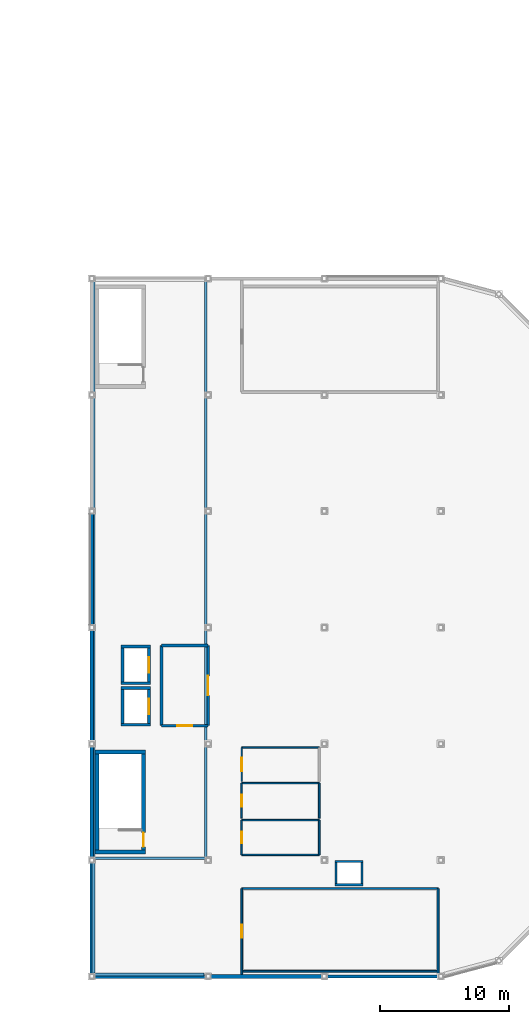
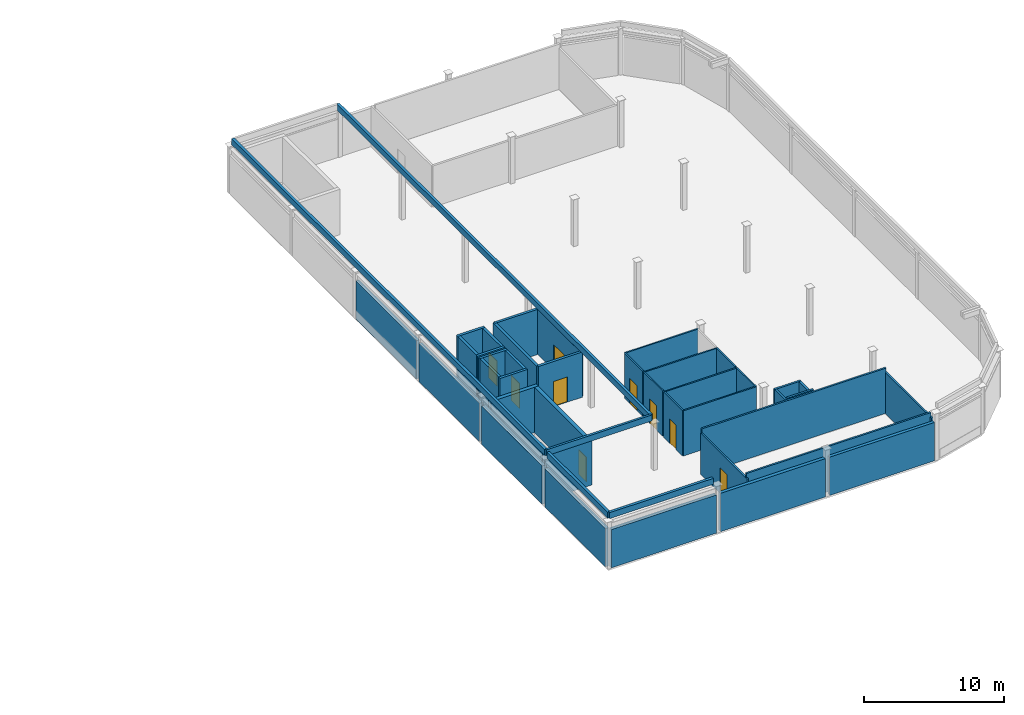
# One storey, part 10 of 14: 45 walls, 9 doors, 9 openings.
"""IFC4 building model written with IfcOpenShell, lengths in metres."""

from ifc_helpers import new_model, si_unit, direction, frame, frame_2d, origin, place, context, subcontext, project, spatial, rectangle, extrude, material, layer, layer_set, type_object, element, fill, save


model = new_model("IFC4")

# Units and contexts
model_context = context("Model", 3, precision=1e-05, world=origin(), true_north=direction((0.0, 1.0)))
body_context = subcontext(model_context, "Body", "Model", "MODEL_VIEW")
ifc_project = project(units=[si_unit("LENGTHUNIT", "METRE"), si_unit("AREAUNIT", "SQUARE_METRE"), si_unit("VOLUMEUNIT", "CUBIC_METRE"), si_unit("PLANEANGLEUNIT", "RADIAN"), si_unit("MASSUNIT", "GRAM", prefix="KILO")], contexts=[model_context])

# Site, building, storey
site_placement = place(None, origin())
site = spatial("IfcSite", under=ifc_project, at=site_placement, CompositionType="ELEMENT")
building_placement = place(site_placement, origin())
building = spatial("IfcBuilding", under=site, at=building_placement, Name="Suzunagisa Mobility Hub", CompositionType="ELEMENT")
storey_placement = place(building_placement, frame((0.0, 0.0, 26.10009765625)))
storey = spatial("IfcBuildingStorey", under=building, at=storey_placement, Name="L06", CompositionType="ELEMENT", Elevation=26.10009765625)

# Walls
ifc_material_1 = material(Name="Concrete C30/37", Category="concrete")
ifc_layer_1 = layer(ifc_material_1, 0.18994140625)
ifc_layer_set_1 = layer_set([ifc_layer_1], Name="Concrete C30/37")
wall_type_1 = type_object("IfcWallType", Name="Exterior Wall EW-01 190mm", PredefinedType="PARAPET", material=ifc_layer_set_1)
wall_1_placement = place(storey_placement, frame((152.820068359375, 53.14990234375, 4.199951171875), z_axis=(0.0, 0.0, 1.0), x_axis=(-1.0, 0.0, 0.0)))
element("IfcWall", 1, at=wall_1_placement, inside=storey, type_object=wall_type_1, Name="Roof Overrun Parapet PR-526", PredefinedType="PARAPET", context=body_context, shape_type="SweptSolid", body=[
    extrude(rectangle(XDim=8.670166015625, YDim=0.18994140625, at=frame_2d((4.3349609375, 0.0))), origin(), (0.0, 0.0, 1.0), 0.52001953125),
])
ifc_material_2 = material(Name="Porcelain-Faced Insulated Concrete C30/37 Wall", Category="concrete")
ifc_layer_2 = layer(ifc_material_2, 0.260009765625)
ifc_layer_set_2 = layer_set([ifc_layer_2], Name="Porcelain-Faced Insulated Concrete C30/37 Wall")
wall_type_2 = type_object("IfcWallType", Name="Exterior Wall EW-03 260mm", PredefinedType="SOLIDWALL", material=ifc_layer_set_2)
for number, where, z_axis, x_axis, name in (
    (2, (162.175048828125, 44.0, 0.0), (0.0, 0.0, 1.0), (1.0, 0.0, 0.0), "L06 Exterior Facade Wall EW-434"),
    (3, (144.0, 79.824951171875, 0.0), (0.0, 0.0, 1.0), (0.0, -1.0, 0.0), "L06 Exterior Facade Wall EW-450"),
):
    element("IfcWall", number, at=place(storey_placement, frame(where, z_axis=z_axis, x_axis=x_axis)), inside=storey, type_object=wall_type_2, Name=name, PredefinedType="SOLIDWALL", context=body_context, shape_type="SweptSolid", body=[
        extrude(rectangle(XDim=8.64990234375, YDim=0.260009765625, at=frame_2d((4.324951171875, 0.0))), origin(), (0.0, 0.0, 1.0), 3.33984375),
    ])
ifc_material_3 = material(Name="Lightweight Insulated Autoclaved Concrete C30/37 Wall", Category="concrete")
ifc_layer_3 = layer(ifc_material_3, 0.239990234375)
ifc_layer_set_3 = layer_set([ifc_layer_3], Name="Lightweight Insulated Autoclaved Concrete C30/37 Wall")
wall_type_3 = type_object("IfcWallType", Name="Exterior Wall EW-04 240mm", PredefinedType="SOLIDWALL", material=ifc_layer_set_3)
wall_2_placement = place(storey_placement, frame((144.0, 70.824951171875, 0.0), z_axis=(0.0, 0.0, 1.0), x_axis=(0.0, -1.0, 0.0)))
element("IfcWall", 4, at=wall_2_placement, inside=storey, type_object=wall_type_3, Name="L06 Exterior Facade Wall EW-451", PredefinedType="SOLIDWALL", context=body_context, shape_type="SweptSolid", body=[
    extrude(rectangle(XDim=8.64990234375, YDim=0.239990234375, at=frame_2d((4.324951171875, 0.0))), origin(), (0.0, 0.0, 1.0), 3.33984375),
])
ifc_layer_4 = layer(ifc_material_1, 0.219970703125)
ifc_layer_set_4 = layer_set([ifc_layer_4], Name="Concrete C30/37")
wall_type_4 = type_object("IfcWallType", Name="Exterior Wall EW-05 220mm", PredefinedType="PARAPET", material=ifc_layer_set_4)
wall_3_placement = place(storey_placement, frame((152.699951171875, 44.139892578125, 4.199951171875), z_axis=(0.0, 0.0, 1.0), x_axis=(-1.0, 0.0, 0.0)))
element("IfcWall", 5, at=wall_3_placement, inside=storey, type_object=wall_type_4, Name="L06 Roof Setback Parapet PR-502", PredefinedType="PARAPET", context=body_context, shape_type="SweptSolid", body=[
    extrude(rectangle(XDim=8.56005859375, YDim=0.219970703125, at=frame_2d((4.280029296875, 0.0))), origin(), (0.0, 0.0, 1.0), 0.52001953125),
])
wall_4_placement = place(storey_placement, frame((144.139892578125, 44.139892578125, 4.199951171875), z_axis=(0.0, 0.0, 1.0), x_axis=(0.0, 1.0, 0.0)))
element("IfcWall", 6, at=wall_4_placement, inside=storey, type_object=wall_type_4, Name="L06 Roof Setback Parapet PR-503", PredefinedType="PARAPET", context=body_context, shape_type="SweptSolid", body=[
    extrude(rectangle(XDim=8.66015625, YDim=0.219970703125, at=frame_2d((4.330078125, 0.0))), origin(), (0.0, 0.0, 1.0), 0.52001953125),
])
for number, where, z_axis, x_axis, name in (
    (7, (144.14990234375, 53.14990234375, 4.199951171875), (0.0, 0.0, 1.0), (0.0, 1.0, 0.0), "Roof Overrun Parapet PR-523"),
    (8, (152.820068359375, 97.85009765625, 4.199951171875), (0.0, 0.0, 1.0), (0.0, -1.0, 0.0), "Roof Overrun Parapet PR-525"),
):
    element("IfcWall", number, at=place(storey_placement, frame(where, z_axis=z_axis, x_axis=x_axis)), inside=storey, type_object=wall_type_4, Name=name, PredefinedType="PARAPET", context=body_context, shape_type="SweptSolid", body=[
        extrude(rectangle(XDim=44.7001953125, YDim=0.219970703125, at=frame_2d((22.35009765625, 0.0))), origin(), (0.0, 0.0, 1.0), 0.52001953125),
    ])
ifc_layer_5 = layer(ifc_material_2, 0.280029296875)
ifc_layer_set_5 = layer_set([ifc_layer_5], Name="Porcelain-Faced Insulated Concrete C30/37 Wall")
wall_type_5 = type_object("IfcWallType", Name="Exterior Wall EW-08 280mm", PredefinedType="SOLIDWALL", material=ifc_layer_set_5)
for number, where, z_axis, x_axis, name in (
    (9, (153.175048828125, 44.0, 0.0), (0.0, 0.0, 1.0), (1.0, 0.0, 0.0), "L06 Exterior Facade Wall EW-433"),
    (10, (144.0, 52.824951171875, 0.0), (0.0, 0.0, 1.0), (0.0, -1.0, 0.0), "L06 Exterior Facade Wall EW-453"),
):
    element("IfcWall", number, at=place(storey_placement, frame(where, z_axis=z_axis, x_axis=x_axis)), inside=storey, type_object=wall_type_5, Name=name, PredefinedType="SOLIDWALL", context=body_context, shape_type="SweptSolid", body=[
        extrude(rectangle(XDim=8.64990234375, YDim=0.280029296875, at=frame_2d((4.324951171875, 0.0))), origin(), (0.0, 0.0, 1.0), 3.33984375),
    ])
ifc_material_4 = material(Name="Insulated Precast Concrete C35/45 Panel", Category="concrete")
ifc_layer_6 = layer(ifc_material_4, 0.300048828125)
ifc_layer_set_6 = layer_set([ifc_layer_6], Name="Insulated Precast Concrete C35/45 Panel")
wall_type_6 = type_object("IfcWallType", Name="Exterior Wall EW-09 300mm", PredefinedType="SOLIDWALL", material=ifc_layer_set_6)
for number, where, z_axis, x_axis, name in (
    (11, (144.175048828125, 44.0, 0.0), (0.0, 0.0, 1.0), (1.0, 0.0, 0.0), "L06 Exterior Facade Wall EW-432"),
    (12, (144.0, 61.824951171875, 0.0), (0.0, 0.0, 1.0), (0.0, -1.0, 0.0), "L06 Exterior Facade Wall EW-452"),
):
    element("IfcWall", number, at=place(storey_placement, frame(where, z_axis=z_axis, x_axis=x_axis)), inside=storey, type_object=wall_type_6, Name=name, PredefinedType="SOLIDWALL", context=body_context, shape_type="SweptSolid", body=[
        extrude(rectangle(XDim=8.64990234375, YDim=0.300048828125, at=frame_2d((4.324951171875, 0.0))), origin(), (0.0, 0.0, 1.0), 3.33984375),
    ])
ifc_material_5 = material(Name="Concrete C35/45", Category="concrete")
ifc_layer_7 = layer(ifc_material_5, 0.31005859375)
ifc_layer_set_7 = layer_set([ifc_layer_7], Name="Concrete C35/45")
wall_type_7 = type_object("IfcWallType", Name="Interior Wall IW-01 310mm", PredefinedType="SHEAR", material=ifc_layer_set_7)
for number, where, z_axis, x_axis, name in (
    (13, (144.25, 53.64501953125, 0.0), (0.0, 0.0, 1.0), (1.0, 0.0, 0.0), "L06 Core C5 Shear Wall SW-449"),
    (14, (144.25, 61.35498046875, 0.0), (0.0, 0.0, 1.0), (1.0, 0.0, 0.0), "L06 Core C5 Shear Wall SW-450"),
):
    element("IfcWall", number, at=place(storey_placement, frame(where, z_axis=z_axis, x_axis=x_axis)), inside=storey, type_object=wall_type_7, Name=name, PredefinedType="SHEAR", context=body_context, shape_type="SweptSolid", body=[
        extrude(rectangle(XDim=3.89990234375, YDim=0.31005859375, at=frame_2d((1.949951171875, 0.0))), origin(), (0.0, 0.0, 1.0), 3.93994140625),
    ])
wall_5_placement = place(storey_placement, frame((144.405029296875, 53.800048828125, 0.0), z_axis=(0.0, 0.0, 1.0), x_axis=(0.0, 1.0, 0.0)))
element("IfcWall", 15, at=wall_5_placement, inside=storey, type_object=wall_type_7, Name="L06 Core C5 Shear Wall SW-451", PredefinedType="SHEAR", context=body_context, shape_type="SweptSolid", body=[
    extrude(rectangle(XDim=7.39990234375, YDim=0.31005859375, at=frame_2d((3.699951171875, 0.0))), origin(), (0.0, 0.0, 1.0), 3.93994140625),
])

# Wall, opening, door
wall_6_placement = place(storey_placement, frame((147.9951171875, 53.800048828125, 0.0), z_axis=(0.0, 0.0, 1.0), x_axis=(0.0, 1.0, 0.0)))
wall_6 = element("IfcWall", 16, at=wall_6_placement, inside=storey, type_object=wall_type_7, Name="L06 Core C5 Shear Wall SW-452", PredefinedType="SHEAR", context=body_context, shape_type="SweptSolid", body=[
    extrude(rectangle(XDim=7.39990234375, YDim=0.31005859375, at=frame_2d((3.699951171875, 0.0))), origin(), (0.0, 0.0, 1.0), 3.93994140625),
])
opening_1_placement = place(wall_6_placement, frame((0.219970703125, 0.0, 0.0)))
opening_1 = element("IfcOpeningElement", 17, at=opening_1_placement, cuts=wall_6, Name="Opening DR-05", PredefinedType="OPENING", context=body_context, shape_type="SweptSolid", body=[
    extrude(rectangle(XDim=1.10009765625, YDim=2.14990234375, at=frame_2d((0.550048828125, 1.074951171875))), frame((0.0, 0.166015625, 0.0), z_axis=(0.0, -1.0, 0.0), x_axis=(1.0, 0.0, 0.0)), (0.0, 0.0, 1.0), 0.33203125),
])
ifc_material_6 = material(Name="Fire-Rated Hollow Steel Stair Door", Category="steel")
door_type_1 = type_object("IfcDoorType", Name="Interior Door DR-05 1100x2150", OperationType="SINGLE_SWING_LEFT", PredefinedType="DOOR", material=ifc_material_6)
door_1_placement = place(opening_1_placement, origin())
door_1 = element("IfcDoor", 18, at=door_1_placement, inside=storey, type_object=door_type_1, Name="L06 Core C5 Escape Stair Fire Door SD-110", OperationType="SINGLE_SWING_LEFT", OverallHeight=2.14990234375, OverallWidth=1.10009765625, PredefinedType="DOOR", context=body_context, shape_type="SweptSolid", body=[
    extrude(rectangle(XDim=1.10009765625, YDim=2.14990234375, at=frame_2d((0.550048828125, 1.074951171875))), frame((0.0, 0.02490234375, 0.0), z_axis=(0.0, -1.0, 0.0), x_axis=(1.0, 0.0, 0.0)), (0.0, 0.0, 1.0), 0.050048828125),
])
fill(opening_1, door_1)

# Walls
ifc_material_7 = material(Name="Moisture-Resistant Gypsum Partition", Category="gypsum")
ifc_layer_8 = layer(ifc_material_7, 0.1201171875)
ifc_layer_set_8 = layer_set([ifc_layer_8], Name="Moisture-Resistant Gypsum Partition")
wall_type_8 = type_object("IfcWallType", Name="Interior Wall IW-02 120mm", PredefinedType="PARTITIONING", material=ifc_layer_set_8)
for number, where, z_axis, x_axis, name in (
    (19, (155.60009765625, 53.39990234375, 0.0), (0.0, 0.0, 1.0), (1.0, 0.0, 0.0), "L06 Male Restroom WC L06 Partition PW-635"),
    (20, (155.60009765625, 56.10009765625, 0.0), (0.0, 0.0, 1.0), (1.0, 0.0, 0.0), "L06 Male Restroom WC L06 Partition PW-636"),
):
    element("IfcWall", number, at=place(storey_placement, frame(where, z_axis=z_axis, x_axis=x_axis)), inside=storey, type_object=wall_type_8, Name=name, PredefinedType="PARTITIONING", context=body_context, shape_type="SweptSolid", body=[
        extrude(rectangle(XDim=6.0, YDim=0.1201171875, at=frame_2d((3.0, 0.0))), origin(), (0.0, 0.0, 1.0), 3.93994140625),
    ])

# Wall, opening, door
wall_7_placement = place(storey_placement, frame((155.60009765625, 53.39990234375, 0.0), z_axis=(0.0, 0.0, 1.0), x_axis=(0.0, 1.0, 0.0)))
wall_7 = element("IfcWall", 21, at=wall_7_placement, inside=storey, type_object=wall_type_8, Name="L06 Male Restroom WC L06 Partition PW-637", PredefinedType="PARTITIONING", context=body_context, shape_type="SweptSolid", body=[
    extrude(rectangle(XDim=2.7001953125, YDim=0.1201171875, at=frame_2d((1.35009765625, 0.0))), origin(), (0.0, 0.0, 1.0), 3.93994140625),
])
opening_2_placement = place(wall_7_placement, frame((0.889892578125, 0.0, 0.0)))
opening_2 = element("IfcOpeningElement", 22, at=opening_2_placement, cuts=wall_7, Name="Opening DR-02", PredefinedType="OPENING", context=body_context, shape_type="SweptSolid", body=[
    extrude(rectangle(XDim=0.919921875, YDim=2.10009765625, at=frame_2d((0.4599609375, 1.050048828125))), frame((0.0, 0.071044921875, 0.0), z_axis=(0.0, -1.0, 0.0), x_axis=(1.0, 0.0, 0.0)), (0.0, 0.0, 1.0), 0.14208984375),
])
ifc_material_8 = material(Name="Sanitary Restroom Laminate Door")
door_type_2 = type_object("IfcDoorType", Name="Interior Door DR-02 920x2100", OperationType="SINGLE_SWING_LEFT", PredefinedType="DOOR", material=ifc_material_8)
door_2_placement = place(opening_2_placement, origin())
door_2 = element("IfcDoor", 23, at=door_2_placement, inside=storey, type_object=door_type_2, Name="L06 Male Restroom WC L06 Door DR-158", OperationType="SINGLE_SWING_LEFT", OverallHeight=2.10009765625, OverallWidth=0.919921875, PredefinedType="DOOR", context=body_context, shape_type="SweptSolid", body=[
    extrude(rectangle(XDim=0.919921875, YDim=2.10009765625, at=frame_2d((0.4599609375, 1.050048828125))), frame((0.0, 0.02490234375, 0.0), z_axis=(0.0, -1.0, 0.0), x_axis=(1.0, 0.0, 0.0)), (0.0, 0.0, 1.0), 0.050048828125),
])
fill(opening_2, door_2)

# Walls
wall_8_placement = place(storey_placement, frame((161.60009765625, 53.39990234375, 0.0), z_axis=(0.0, 0.0, 1.0), x_axis=(0.0, 1.0, 0.0)))
element("IfcWall", 24, at=wall_8_placement, inside=storey, type_object=wall_type_8, Name="L06 Male Restroom WC L06 Partition PW-638", PredefinedType="PARTITIONING", context=body_context, shape_type="SweptSolid", body=[
    extrude(rectangle(XDim=2.7001953125, YDim=0.1201171875, at=frame_2d((1.35009765625, 0.0))), origin(), (0.0, 0.0, 1.0), 3.93994140625),
])
wall_9_placement = place(storey_placement, frame((155.60009765625, 58.949951171875, 0.0), z_axis=(0.0, 0.0, 1.0), x_axis=(1.0, 0.0, 0.0)))
element("IfcWall", 25, at=wall_9_placement, inside=storey, type_object=wall_type_8, Name="L06 Female Restroom WC L06 Partition PW-639", PredefinedType="PARTITIONING", context=body_context, shape_type="SweptSolid", body=[
    extrude(rectangle(XDim=6.0, YDim=0.1201171875, at=frame_2d((3.0, 0.0))), origin(), (0.0, 0.0, 1.0), 3.93994140625),
])

# Wall, opening, door
wall_10_placement = place(storey_placement, frame((155.60009765625, 56.25, 0.0), z_axis=(0.0, 0.0, 1.0), x_axis=(0.0, 1.0, 0.0)))
wall_10 = element("IfcWall", 26, at=wall_10_placement, inside=storey, type_object=wall_type_8, Name="L06 Female Restroom WC L06 Partition PW-640", PredefinedType="PARTITIONING", context=body_context, shape_type="SweptSolid", body=[
    extrude(rectangle(XDim=2.699951171875, YDim=0.1201171875, at=frame_2d((1.35009765625, 0.0))), origin(), (0.0, 0.0, 1.0), 3.93994140625),
])
opening_3_placement = place(wall_10_placement, frame((0.875, 0.0, 0.0)))
opening_3 = element("IfcOpeningElement", 27, at=opening_3_placement, cuts=wall_10, Name="Opening DR-19", PredefinedType="OPENING", context=body_context, shape_type="SweptSolid", body=[
    extrude(rectangle(XDim=0.949951171875, YDim=2.14990234375, at=frame_2d((0.47509765625, 1.074951171875))), frame((0.0, 0.071044921875, 0.0), z_axis=(0.0, -1.0, 0.0), x_axis=(1.0, 0.0, 0.0)), (0.0, 0.0, 1.0), 0.14208984375),
])
ifc_material_9 = material(Name="Sanitary Restroom Acoustic Door")
door_type_3 = type_object("IfcDoorType", Name="Interior Door DR-19 950x2150", OperationType="SINGLE_SWING_LEFT", PredefinedType="DOOR", material=ifc_material_9)
door_3_placement = place(opening_3_placement, origin())
door_3 = element("IfcDoor", 28, at=door_3_placement, inside=storey, type_object=door_type_3, Name="L06 Female Restroom WC L06 Door DR-159", OperationType="SINGLE_SWING_RIGHT", OverallHeight=2.14990234375, OverallWidth=0.949951171875, PredefinedType="DOOR", context=body_context, shape_type="SweptSolid", body=[
    extrude(rectangle(XDim=0.949951171875, YDim=2.14990234375, at=frame_2d((0.47509765625, 1.074951171875))), frame((0.0, 0.02490234375, 0.0), z_axis=(0.0, -1.0, 0.0), x_axis=(1.0, 0.0, 0.0)), (0.0, 0.0, 1.0), 0.050048828125),
])
fill(opening_3, door_3)

# Walls
wall_11_placement = place(storey_placement, frame((161.60009765625, 56.25, 0.0), z_axis=(0.0, 0.0, 1.0), x_axis=(0.0, 1.0, 0.0)))
element("IfcWall", 29, at=wall_11_placement, inside=storey, type_object=wall_type_8, Name="L06 Female Restroom WC L06 Partition PW-641", PredefinedType="PARTITIONING", context=body_context, shape_type="SweptSolid", body=[
    extrude(rectangle(XDim=2.699951171875, YDim=0.1201171875, at=frame_2d((1.35009765625, 0.0))), origin(), (0.0, 0.0, 1.0), 3.93994140625),
])
wall_12_placement = place(storey_placement, frame((155.60009765625, 61.699951171875, 0.0), z_axis=(0.0, 0.0, 1.0), x_axis=(1.0, 0.0, 0.0)))
element("IfcWall", 30, at=wall_12_placement, inside=storey, type_object=wall_type_8, Name="L06 Accessible Restroom WC L06 Partition PW-642", PredefinedType="PARTITIONING", context=body_context, shape_type="SweptSolid", body=[
    extrude(rectangle(XDim=6.0, YDim=0.1201171875, at=frame_2d((3.0, 0.0))), origin(), (0.0, 0.0, 1.0), 3.93994140625),
])

# Wall, opening, door
wall_13_placement = place(storey_placement, frame((155.60009765625, 59.10009765625, 0.0), z_axis=(0.0, 0.0, 1.0), x_axis=(0.0, 1.0, 0.0)))
wall_13 = element("IfcWall", 31, at=wall_13_placement, inside=storey, type_object=wall_type_8, Name="L06 Accessible Restroom WC L06 Partition PW-643", PredefinedType="PARTITIONING", context=body_context, shape_type="SweptSolid", body=[
    extrude(rectangle(XDim=2.599853515625, YDim=0.1201171875, at=frame_2d((1.2998046875, 0.0))), origin(), (0.0, 0.0, 1.0), 3.93994140625),
])
opening_4_placement = place(wall_13_placement, frame((0.77490234375, 0.0, 0.0)))
opening_4 = element("IfcOpeningElement", 32, at=opening_4_placement, cuts=wall_13, Name="Opening DR-16", PredefinedType="OPENING", context=body_context, shape_type="SweptSolid", body=[
    extrude(rectangle(XDim=1.050048828125, YDim=2.199951171875, at=frame_2d((0.52490234375, 1.10009765625))), frame((0.0, 0.071044921875, 0.0), z_axis=(0.0, -1.0, 0.0), x_axis=(1.0, 0.0, 0.0)), (0.0, 0.0, 1.0), 0.14208984375),
])
ifc_material_10 = material(Name="Barrier-Free Club Accessible WC Door")
door_type_4 = type_object("IfcDoorType", Name="Interior Door DR-16 1050x2200", OperationType="SINGLE_SWING_LEFT", PredefinedType="DOOR", material=ifc_material_10)
door_4_placement = place(opening_4_placement, origin())
door_4 = element("IfcDoor", 33, at=door_4_placement, inside=storey, type_object=door_type_4, Name="L06 Accessible Restroom WC L06 Door DR-160", OperationType="SINGLE_SWING_LEFT", OverallHeight=2.199951171875, OverallWidth=1.050048828125, PredefinedType="DOOR", context=body_context, shape_type="SweptSolid", body=[
    extrude(rectangle(XDim=1.050048828125, YDim=2.199951171875, at=frame_2d((0.52490234375, 1.10009765625))), frame((0.0, 0.02490234375, 0.0), z_axis=(0.0, -1.0, 0.0), x_axis=(1.0, 0.0, 0.0)), (0.0, 0.0, 1.0), 0.050048828125),
])
fill(opening_4, door_4)

ifc_material_11 = material(Name="Fire-Rated Gypsum Stud Partition", Category="gypsum")
ifc_layer_9 = layer(ifc_material_11, 0.2099609375)
ifc_layer_set_9 = layer_set([ifc_layer_9], Name="Fire-Rated Gypsum Stud Partition")
wall_type_9 = type_object("IfcWallType", Name="Interior Wall IW-03 210mm", PredefinedType="PARTITIONING", material=ifc_layer_set_9)
wall_14_placement = place(storey_placement, frame((148.425048828125, 63.580078125, 0.0), z_axis=(0.0, 0.0, 1.0), x_axis=(0.0, 1.0, 0.0)))
wall_14 = element("IfcWall", 34, at=wall_14_placement, inside=storey, type_object=wall_type_9, Name="L06 Lift LF-05 Shaft Front Wall", PredefinedType="PARTITIONING", context=body_context, shape_type="SweptSolid", body=[
    extrude(rectangle(XDim=2.639892578125, YDim=0.2099609375, at=frame_2d((1.31982421875, 0.0))), origin(), (0.0, 0.0, 1.0), 3.93994140625),
])
opening_5_placement = place(wall_14_placement, frame((0.719970703125, 0.0, 0.0)))
opening_5 = element("IfcOpeningElement", 35, at=opening_5_placement, cuts=wall_14, Name="Opening LD-03", PredefinedType="OPENING", context=body_context, shape_type="SweptSolid", body=[
    extrude(rectangle(XDim=1.199951171875, YDim=2.199951171875, at=frame_2d((0.60009765625, 1.10009765625))), frame((0.0, 0.115966796875, 0.0), z_axis=(0.0, -1.0, 0.0), x_axis=(1.0, 0.0, 0.0)), (0.0, 0.0, 1.0), 0.23193359375),
])
ifc_material_12 = material(Name="Brushed Stainless Steel SUS304", Category="metal")
door_type_5 = type_object("IfcDoorType", Name="Lift Landing Sliding Door LD-03 1200x2200", OperationType="SLIDING_TO_LEFT", PredefinedType="DOOR", material=ifc_material_12)
door_5_placement = place(opening_5_placement, origin())
door_5 = element("IfcDoor", 36, at=door_5_placement, inside=storey, type_object=door_type_5, Name="L06 Lift LF-05 Sliding Landing Door", OperationType="SLIDING_TO_LEFT", OverallHeight=2.199951171875, OverallWidth=1.199951171875, PredefinedType="DOOR", context=body_context, shape_type="SweptSolid", body=[
    extrude(rectangle(XDim=1.199951171875, YDim=2.199951171875, at=frame_2d((0.60009765625, 1.10009765625))), frame((0.0, 0.02490234375, 0.0), z_axis=(0.0, -1.0, 0.0), x_axis=(1.0, 0.0, 0.0)), (0.0, 0.0, 1.0), 0.050048828125),
])
fill(opening_5, door_5)

# Walls
wall_15_placement = place(storey_placement, frame((146.375, 63.580078125, 0.0), z_axis=(0.0, 0.0, 1.0), x_axis=(0.0, 1.0, 0.0)))
element("IfcWall", 37, at=wall_15_placement, inside=storey, type_object=wall_type_9, Name="L06 Lift LF-05 Shaft Back Wall", PredefinedType="PARTITIONING", context=body_context, shape_type="SweptSolid", body=[
    extrude(rectangle(XDim=2.639892578125, YDim=0.2099609375, at=frame_2d((1.31982421875, 0.0))), origin(), (0.0, 0.0, 1.0), 3.93994140625),
])
for number, where, z_axis, x_axis, name in (
    (38, (146.27001953125, 63.47509765625, 0.0), (0.0, 0.0, 1.0), (1.0, 0.0, 0.0), "L06 Lift LF-05 Shaft South Wall"),
    (39, (146.27001953125, 66.324951171875, 0.0), (0.0, 0.0, 1.0), (1.0, 0.0, 0.0), "L06 Lift LF-05 Shaft North Wall"),
):
    element("IfcWall", number, at=place(storey_placement, frame(where, z_axis=z_axis, x_axis=x_axis)), inside=storey, type_object=wall_type_9, Name=name, PredefinedType="PARTITIONING", context=body_context, shape_type="SweptSolid", body=[
        extrude(rectangle(XDim=2.260009765625, YDim=0.2099609375, at=frame_2d((1.1298828125, 0.0))), origin(), (0.0, 0.0, 1.0), 3.93994140625),
    ])

# Wall, opening, door
wall_16_placement = place(storey_placement, frame((148.425048828125, 66.780029296875, 0.0), z_axis=(0.0, 0.0, 1.0), x_axis=(0.0, 1.0, 0.0)))
wall_16 = element("IfcWall", 40, at=wall_16_placement, inside=storey, type_object=wall_type_9, Name="L06 Lift LF-06 Shaft Front Wall", PredefinedType="PARTITIONING", context=body_context, shape_type="SweptSolid", body=[
    extrude(rectangle(XDim=2.639892578125, YDim=0.2099609375, at=frame_2d((1.31982421875, 0.0))), origin(), (0.0, 0.0, 1.0), 3.93994140625),
])
opening_6_placement = place(wall_16_placement, frame((0.719970703125, 0.0, 0.0)))
opening_6 = element("IfcOpeningElement", 41, at=opening_6_placement, cuts=wall_16, Name="Opening LD-03", PredefinedType="OPENING", context=body_context, shape_type="SweptSolid", body=[
    extrude(rectangle(XDim=1.199951171875, YDim=2.199951171875, at=frame_2d((0.60009765625, 1.10009765625))), frame((0.0, 0.115966796875, 0.0), z_axis=(0.0, -1.0, 0.0), x_axis=(1.0, 0.0, 0.0)), (0.0, 0.0, 1.0), 0.23193359375),
])
door_6_placement = place(opening_6_placement, origin())
door_6 = element("IfcDoor", 42, at=door_6_placement, inside=storey, type_object=door_type_5, Name="L06 Lift LF-06 Sliding Landing Door", OperationType="SLIDING_TO_RIGHT", OverallHeight=2.199951171875, OverallWidth=1.199951171875, PredefinedType="DOOR", context=body_context, shape_type="SweptSolid", body=[
    extrude(rectangle(XDim=1.199951171875, YDim=2.199951171875, at=frame_2d((0.60009765625, 1.10009765625))), frame((0.0, 0.02490234375, 0.0), z_axis=(0.0, -1.0, 0.0), x_axis=(1.0, 0.0, 0.0)), (0.0, 0.0, 1.0), 0.050048828125),
])
fill(opening_6, door_6)

# Walls
wall_17_placement = place(storey_placement, frame((146.375, 66.780029296875, 0.0), z_axis=(0.0, 0.0, 1.0), x_axis=(0.0, 1.0, 0.0)))
element("IfcWall", 43, at=wall_17_placement, inside=storey, type_object=wall_type_9, Name="L06 Lift LF-06 Shaft Back Wall", PredefinedType="PARTITIONING", context=body_context, shape_type="SweptSolid", body=[
    extrude(rectangle(XDim=2.639892578125, YDim=0.2099609375, at=frame_2d((1.31982421875, 0.0))), origin(), (0.0, 0.0, 1.0), 3.93994140625),
])
for number, where, z_axis, x_axis, name in (
    (44, (146.27001953125, 66.675048828125, 0.0), (0.0, 0.0, 1.0), (1.0, 0.0, 0.0), "L06 Lift LF-06 Shaft South Wall"),
    (45, (146.27001953125, 69.52490234375, 0.0), (0.0, 0.0, 1.0), (1.0, 0.0, 0.0), "L06 Lift LF-06 Shaft North Wall"),
):
    element("IfcWall", number, at=place(storey_placement, frame(where, z_axis=z_axis, x_axis=x_axis)), inside=storey, type_object=wall_type_9, Name=name, PredefinedType="PARTITIONING", context=body_context, shape_type="SweptSolid", body=[
        extrude(rectangle(XDim=2.260009765625, YDim=0.2099609375, at=frame_2d((1.1298828125, 0.0))), origin(), (0.0, 0.0, 1.0), 3.93994140625),
    ])

# Wall, opening, door
wall_18_placement = place(storey_placement, frame((149.39990234375, 63.39990234375, 0.0), z_axis=(0.0, 0.0, 1.0), x_axis=(1.0, 0.0, 0.0)))
wall_18 = element("IfcWall", 46, at=wall_18_placement, inside=storey, type_object=wall_type_9, Name="L06 Firefighting Lift Lobby L06 Partition PW-561", PredefinedType="PARTITIONING", context=body_context, shape_type="SweptSolid", body=[
    extrude(rectangle(XDim=3.60009765625, YDim=0.2099609375, at=frame_2d((1.800048828125, 0.0))), origin(), (0.0, 0.0, 1.0), 3.93994140625),
])
opening_7_placement = place(wall_18_placement, frame((1.22509765625, 0.0, 0.0)))
opening_7 = element("IfcOpeningElement", 47, at=opening_7_placement, cuts=wall_18, Name="Opening DR-20", PredefinedType="OPENING", context=body_context, shape_type="SweptSolid", body=[
    extrude(rectangle(XDim=1.14990234375, YDim=2.199951171875, at=frame_2d((0.574951171875, 1.10009765625))), frame((0.0, 0.115966796875, 0.0), z_axis=(0.0, -1.0, 0.0), x_axis=(1.0, 0.0, 0.0)), (0.0, 0.0, 1.0), 0.23193359375),
])
door_type_6 = type_object("IfcDoorType", Name="Interior Door DR-20 1150x2200", OperationType="SINGLE_SWING_LEFT", PredefinedType="DOOR", material=ifc_material_6)
door_7_placement = place(opening_7_placement, origin())
door_7 = element("IfcDoor", 48, at=door_7_placement, inside=storey, type_object=door_type_6, Name="L06 Firefighting Lobby to Escape Stair Door SD-135", OperationType="SINGLE_SWING_RIGHT", OverallHeight=2.199951171875, OverallWidth=1.14990234375, PredefinedType="DOOR", context=body_context, shape_type="SweptSolid", body=[
    extrude(rectangle(XDim=1.14990234375, YDim=2.199951171875, at=frame_2d((0.574951171875, 1.10009765625))), frame((0.0, 0.02490234375, 0.0), z_axis=(0.0, -1.0, 0.0), x_axis=(1.0, 0.0, 0.0)), (0.0, 0.0, 1.0), 0.050048828125),
])
fill(opening_7, door_7)

# Walls
wall_19_placement = place(storey_placement, frame((149.39990234375, 69.60009765625, 0.0), z_axis=(0.0, 0.0, 1.0), x_axis=(1.0, 0.0, 0.0)))
element("IfcWall", 49, at=wall_19_placement, inside=storey, type_object=wall_type_9, Name="L06 Firefighting Lift Lobby L06 Partition PW-562", PredefinedType="PARTITIONING", context=body_context, shape_type="SweptSolid", body=[
    extrude(rectangle(XDim=3.60009765625, YDim=0.2099609375, at=frame_2d((1.800048828125, 0.0))), origin(), (0.0, 0.0, 1.0), 3.93994140625),
])
wall_20_placement = place(storey_placement, frame((149.39990234375, 63.39990234375, 0.0), z_axis=(0.0, 0.0, 1.0), x_axis=(0.0, 1.0, 0.0)))
element("IfcWall", 50, at=wall_20_placement, inside=storey, type_object=wall_type_9, Name="L06 Firefighting Lift Lobby L06 Partition PW-563", PredefinedType="PARTITIONING", context=body_context, shape_type="SweptSolid", body=[
    extrude(rectangle(XDim=6.2001953125, YDim=0.2099609375, at=frame_2d((3.10009765625, 0.0))), origin(), (0.0, 0.0, 1.0), 3.93994140625),
])

# Wall, opening, door
wall_21_placement = place(storey_placement, frame((153.0, 63.39990234375, 0.0), z_axis=(0.0, 0.0, 1.0), x_axis=(0.0, 1.0, 0.0)))
wall_21 = element("IfcWall", 51, at=wall_21_placement, inside=storey, type_object=wall_type_9, Name="L06 Firefighting Lift Lobby L06 Partition PW-564", PredefinedType="PARTITIONING", context=body_context, shape_type="SweptSolid", body=[
    extrude(rectangle(XDim=6.2001953125, YDim=0.2099609375, at=frame_2d((3.10009765625, 0.0))), origin(), (0.0, 0.0, 1.0), 3.93994140625),
])
opening_8_placement = place(wall_21_placement, frame((2.35009765625, 0.0, 0.0)))
opening_8 = element("IfcOpeningElement", 52, at=opening_8_placement, cuts=wall_21, Name="Opening DR-15", PredefinedType="OPENING", context=body_context, shape_type="SweptSolid", body=[
    extrude(rectangle(XDim=1.5, YDim=2.25, at=frame_2d((0.75, 1.125))), frame((0.0, 0.115966796875, 0.0), z_axis=(0.0, -1.0, 0.0), x_axis=(1.0, 0.0, 0.0)), (0.0, 0.0, 1.0), 0.23193359375),
])
ifc_material_13 = material(Name="Smoke-Control Double Fire Door")
door_type_7 = type_object("IfcDoorType", Name="Interior Door DR-15 1500x2250", OperationType="SINGLE_SWING_LEFT", PredefinedType="DOOR", material=ifc_material_13)
door_8_placement = place(opening_8_placement, origin())
door_8 = element("IfcDoor", 53, at=door_8_placement, inside=storey, type_object=door_type_7, Name="L06 Firefighting Lift Lobby L06 Door DR-136", OperationType="SINGLE_SWING_LEFT", OverallHeight=2.25, OverallWidth=1.5, PredefinedType="DOOR", context=body_context, shape_type="SweptSolid", body=[
    extrude(rectangle(XDim=1.5, YDim=2.25, at=frame_2d((0.75, 1.125))), frame((0.0, 0.02490234375, 0.0), z_axis=(0.0, -1.0, 0.0), x_axis=(1.0, 0.0, 0.0)), (0.0, 0.0, 1.0), 0.050048828125),
])
fill(opening_8, door_8)

# Walls
ifc_layer_10 = layer(ifc_material_11, 0.169921875)
ifc_layer_set_10 = layer_set([ifc_layer_10], Name="Fire-Rated Gypsum Stud Partition")
wall_type_10 = type_object("IfcWallType", Name="Interior Wall IW-05 170mm", PredefinedType="PARTITIONING", material=ifc_layer_set_10)
wall_22_placement = place(storey_placement, frame((162.81494140625, 51.10009765625, 0.0), z_axis=(0.0, 0.0, 1.0), x_axis=(1.0, 0.0, 0.0)))
element("IfcWall", 54, at=wall_22_placement, inside=storey, type_object=wall_type_10, Name="L06 MEP Service Riser Wall RW-529", PredefinedType="PARTITIONING", context=body_context, shape_type="SweptSolid", body=[
    extrude(rectangle(XDim=2.170166015625, YDim=0.169921875, at=frame_2d((1.0849609375, 0.0))), origin(), (0.0, 0.0, 1.0), 3.919921875),
])
wall_23_placement = place(storey_placement, frame((162.81494140625, 52.89990234375, 0.0), z_axis=(0.0, 0.0, 1.0), x_axis=(1.0, 0.0, 0.0)))
element("IfcWall", 55, at=wall_23_placement, inside=storey, type_object=wall_type_10, Name="L06 MEP Service Riser Wall RW-530", PredefinedType="PARTITIONING", context=body_context, shape_type="SweptSolid", body=[
    extrude(rectangle(XDim=2.170166015625, YDim=0.169921875, at=frame_2d((1.0849609375, 0.0))), origin(), (0.0, 0.0, 1.0), 3.58056640625),
])
for number, where, z_axis, x_axis, name in (
    (56, (162.89990234375, 51.18505859375, 0.0), (0.0, 0.0, 1.0), (0.0, 1.0, 0.0), "L06 MEP Service Riser Wall RW-531"),
    (57, (164.89990234375, 51.18505859375, 0.0), (0.0, 0.0, 1.0), (0.0, 1.0, 0.0), "L06 MEP Service Riser Wall RW-532"),
):
    element("IfcWall", number, at=place(storey_placement, frame(where, z_axis=z_axis, x_axis=x_axis)), inside=storey, type_object=wall_type_10, Name=name, PredefinedType="PARTITIONING", context=body_context, shape_type="SweptSolid", body=[
        extrude(rectangle(XDim=1.6298828125, YDim=0.169921875, at=frame_2d((0.81494140625, 0.0))), origin(), (0.0, 0.0, 1.0), 3.58056640625),
    ])
ifc_material_14 = material(Name="Acoustic Steel-Stud Gypsum Partition", Category="steel")
ifc_layer_11 = layer(ifc_material_14, 0.14501953125)
ifc_layer_set_11 = layer_set([ifc_layer_11], Name="Acoustic Steel-Stud Gypsum Partition")
wall_type_11 = type_object("IfcWallType", Name="Interior Wall IW-06 145mm", PredefinedType="PARTITIONING", material=ifc_layer_set_11)
for number, where, z_axis, x_axis, name in (
    (58, (155.60009765625, 44.39990234375, 0.0), (0.0, 0.0, 1.0), (1.0, 0.0, 0.0), "L06 Rooftop Sports Club Spectator Lounge Partition PW-897"),
    (59, (155.60009765625, 50.800048828125, 0.0), (0.0, 0.0, 1.0), (1.0, 0.0, 0.0), "L06 Rooftop Sports Club Spectator Lounge Partition PW-898"),
):
    element("IfcWall", number, at=place(storey_placement, frame(where, z_axis=z_axis, x_axis=x_axis)), inside=storey, type_object=wall_type_11, Name=name, PredefinedType="PARTITIONING", context=body_context, shape_type="SweptSolid", body=[
        extrude(rectangle(XDim=15.199951171875, YDim=0.14501953125, at=frame_2d((7.60009765625, 0.0))), origin(), (0.0, 0.0, 1.0), 3.93994140625),
    ])

# Wall, opening, door
wall_24_placement = place(storey_placement, frame((155.60009765625, 44.1650390625, 0.0), z_axis=(0.0, 0.0, 1.0), x_axis=(0.0, 1.0, 0.0)))
wall_24 = element("IfcWall", 60, at=wall_24_placement, inside=storey, type_object=wall_type_11, Name="L06 Rooftop Sports Club Spectator Lounge Partition PW-899", PredefinedType="PARTITIONING", context=body_context, shape_type="SweptSolid", body=[
    extrude(rectangle(XDim=6.635009765625, YDim=0.14501953125, at=frame_2d((3.3173828125, 0.0))), origin(), (0.0, 0.0, 1.0), 3.58056640625),
])
opening_9_placement = place(wall_24_placement, frame((2.824951171875, 0.0, 0.0)))
opening_9 = element("IfcOpeningElement", 61, at=opening_9_placement, cuts=wall_24, Name="Opening DR-33", PredefinedType="OPENING", context=body_context, shape_type="SweptSolid", body=[
    extrude(rectangle(XDim=1.02001953125, YDim=2.25, at=frame_2d((0.510009765625, 1.125))), frame((0.0, 0.08349609375, 0.0), z_axis=(0.0, -1.0, 0.0), x_axis=(1.0, 0.0, 0.0)), (0.0, 0.0, 1.0), 0.1669921875),
])
ifc_material_15 = material(Name="Anodized Aluminum Framed Acoustic Door", Category="aluminium")
door_type_8 = type_object("IfcDoorType", Name="Interior Door DR-33 1020x2250", OperationType="SINGLE_SWING_LEFT", PredefinedType="DOOR", material=ifc_material_15)
door_9_placement = place(opening_9_placement, origin())
door_9 = element("IfcDoor", 62, at=door_9_placement, inside=storey, type_object=door_type_8, Name="L06 Rooftop Sports Club Spectator Lounge Door DR-223", OperationType="SINGLE_SWING_RIGHT", OverallHeight=2.25, OverallWidth=1.02001953125, PredefinedType="DOOR", context=body_context, shape_type="SweptSolid", body=[
    extrude(rectangle(XDim=1.02001953125, YDim=2.25, at=frame_2d((0.510009765625, 1.125))), frame((0.0, 0.02490234375, 0.0), z_axis=(0.0, -1.0, 0.0), x_axis=(1.0, 0.0, 0.0)), (0.0, 0.0, 1.0), 0.050048828125),
])
fill(opening_9, door_9)

# Wall
wall_25_placement = place(storey_placement, frame((170.800048828125, 44.1650390625, 0.0), z_axis=(0.0, 0.0, 1.0), x_axis=(0.0, 1.0, 0.0)))
element("IfcWall", 63, at=wall_25_placement, inside=storey, type_object=wall_type_11, Name="L06 Rooftop Sports Club Spectator Lounge Partition PW-900", PredefinedType="PARTITIONING", context=body_context, shape_type="SweptSolid", body=[
    extrude(rectangle(XDim=6.635009765625, YDim=0.14501953125, at=frame_2d((3.3173828125, 0.0))), origin(), (0.0, 0.0, 1.0), 3.58056640625),
])

save(model, "model.ifc")
